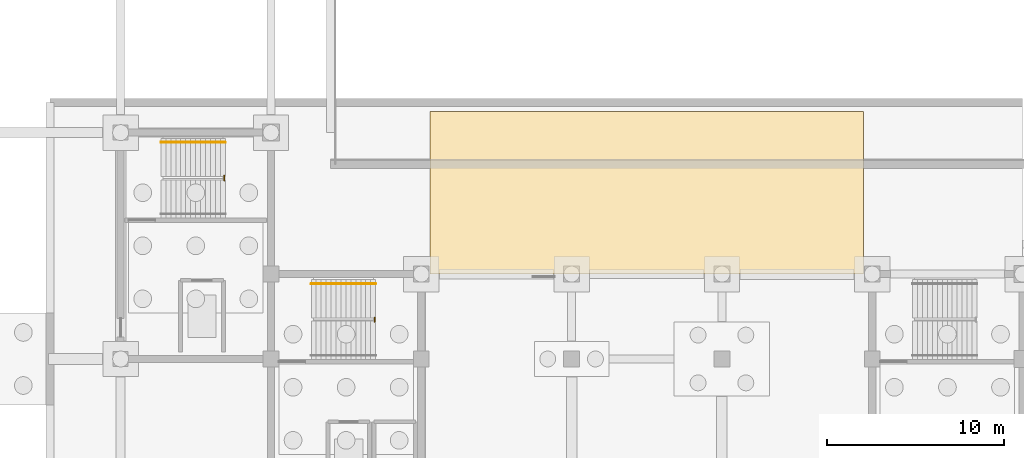
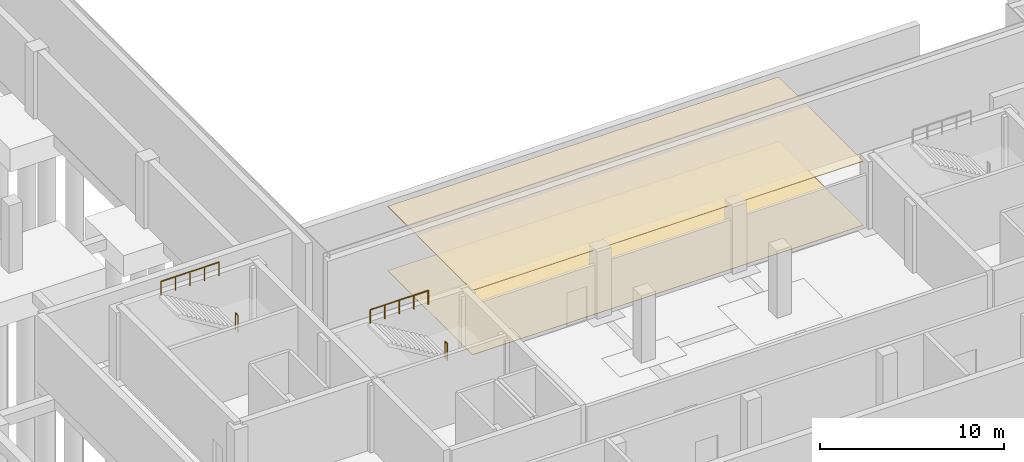
# One storey, part 18 of 25: 4 railings, 2 coverings.
"""IFC4 building model written with IfcOpenShell, lengths in metres."""

from ifc_helpers import new_model, si_unit, direction, frame, origin, origin_2d, place, context, subcontext, project, spatial, polyline, circle, outline, extrude, material, layer, layer_set, type_object, element, save


model = new_model("IFC4")

# Units and contexts
model_context = context("Model", 3, precision=1e-05, world=origin(), true_north=direction((0.0, 1.0)))
body_context = subcontext(model_context, "Body", "Model", "MODEL_VIEW")
ifc_project = project(units=[si_unit("LENGTHUNIT", "METRE"), si_unit("AREAUNIT", "SQUARE_METRE"), si_unit("VOLUMEUNIT", "CUBIC_METRE"), si_unit("PLANEANGLEUNIT", "RADIAN"), si_unit("MASSUNIT", "GRAM", prefix="KILO")], contexts=[model_context])

# Site, building, storey
site_placement = place(None, origin())
site = spatial("IfcSite", under=ifc_project, at=site_placement, CompositionType="ELEMENT")
building_placement = place(site_placement, origin())
building = spatial("IfcBuilding", under=site, at=building_placement, Name="Solvikara Media Centre", CompositionType="ELEMENT")
storey_placement = place(building_placement, frame((0.0, 0.0, -4.800048828125)))
storey = spatial("IfcBuildingStorey", under=building, at=storey_placement, Name="B01", CompositionType="ELEMENT", Elevation=-4.800048828125)

# Coverings
ifc_material_1 = material(Name="Perforated acoustic gypsum ceiling board")
ifc_layer_1 = layer(ifc_material_1, 0.0400390625)
ifc_layer_set_1 = layer_set([ifc_layer_1], Name="Perforated acoustic gypsum ceiling board")
covering_type_1 = type_object("IfcCoveringType", Name="CV-01", PredefinedType="CEILING", material=ifc_layer_set_1)
covering_1_placement = place(storey_placement, frame((0.0, 0.0, 4.25)))
element("IfcCovering", 1, at=covering_1_placement, inside=storey, type_object=covering_type_1, Name="CLG-001", PredefinedType="CEILING", context=body_context, shape_type="SweptSolid", body=[
    extrude(outline(polyline([(43.0, 36.800048828125), (67.5, 36.800048828125), (67.5, 46.0), (43.0, 46.0), (43.0, 36.800048828125)])), origin(), (0.0, 0.0, 1.0), 0.0400390625),
])
ifc_material_2 = material(Name="Polished terrazzo floor finish")
ifc_layer_2 = layer(ifc_material_2, 0.030029296875)
ifc_layer_set_2 = layer_set([ifc_layer_2], Name="Polished terrazzo floor finish")
covering_type_2 = type_object("IfcCoveringType", Name="CV-02", PredefinedType="FLOORING", material=ifc_layer_set_2)
covering_2_placement = place(storey_placement, origin())
element("IfcCovering", 2, at=covering_2_placement, inside=storey, type_object=covering_type_2, Name="FLR-001", PredefinedType="FLOORING", context=body_context, shape_type="SweptSolid", body=[
    extrude(outline(polyline([(43.0, 36.800048828125), (67.5, 36.800048828125), (67.5, 46.0), (43.0, 46.0), (43.0, 36.800048828125)])), origin(), (0.0, 0.0, 1.0), 0.030029296875),
])

# Railings
ifc_material_3 = material(Name="Steel S355JR", Category="steel")
railing_type_1 = type_object("IfcRailingType", Name="GR-02", PredefinedType="BALUSTRADE", material=ifc_material_3)
railing_1_placement = place(storey_placement, frame((31.360107421875, 42.080078125, 2.400146484375)))
element("IfcRailing", 3, at=railing_1_placement, inside=storey, type_object=railing_type_1, Name="GR-C1-B01-M", PredefinedType="BALUSTRADE", context=body_context, shape_type="SweptSolid", body=[
    extrude(circle(Radius=0.02392578125, at=origin_2d()), frame((0.0, 0.0, 1.09619140625), z_axis=(0.0, 1.0, 0.0), x_axis=(-1.0, 0.0, 0.0)), (0.0, 0.0, 1.0), 0.2900390625),
    extrude(circle(Radius=0.02099609375, at=origin_2d()), origin(), (0.0, 0.0, 1.0), 1.072021484375),
    extrude(circle(Radius=0.02099609375, at=origin_2d()), frame((0.0, 0.2900390625, 0.0)), (0.0, 0.0, 1.0), 1.072021484375),
])
railing_2_placement = place(storey_placement, frame((39.860107421875, 34.10009765625, 2.400146484375)))
element("IfcRailing", 4, at=railing_2_placement, inside=storey, type_object=railing_type_1, Name="GR-C2-B01-M", PredefinedType="BALUSTRADE", context=body_context, shape_type="SweptSolid", body=[
    extrude(circle(Radius=0.02392578125, at=origin_2d()), frame((0.0, 0.0, 1.09619140625), z_axis=(0.0, 1.0, 0.0), x_axis=(-1.0, 0.0, 0.0)), (0.0, 0.0, 1.0), 0.25),
    extrude(circle(Radius=0.02099609375, at=origin_2d()), origin(), (0.0, 0.0, 1.0), 1.072021484375),
    extrude(circle(Radius=0.02099609375, at=origin_2d()), frame((0.0, 0.25, 0.0)), (0.0, 0.0, 1.0), 1.072021484375),
])
railing_type_2 = type_object("IfcRailingType", Name="HR-01", PredefinedType="HANDRAIL", material=ifc_material_3)
for number, where, name in (
    (5, (31.419921875, 44.25, 4.800048828125), "HR-C1-B01-2"),
    (6, (39.919921875, 36.25, 4.800048828125), "HR-C2-B01-2"),
):
    element("IfcRailing", number, at=place(storey_placement, frame(where)), inside=storey, type_object=railing_type_2, Name=name, PredefinedType="HANDRAIL", context=body_context, shape_type="SweptSolid", body=[
        extrude(circle(Radius=0.02392578125, at=origin_2d()), frame((0.0, 0.0, 0.89599609375), z_axis=(-1.0, 0.0, 0.0), x_axis=(0.0, -1.0, 0.0)), (0.0, 0.0, 1.0), 3.639892578125),
        extrude(circle(Radius=0.02099609375, at=origin_2d()), origin(), (0.0, 0.0, 1.0), 0.871826171875),
        extrude(circle(Radius=0.02099609375, at=origin_2d()), frame((-0.909912109375, 0.0, 0.0)), (0.0, 0.0, 1.0), 0.871826171875),
        extrude(circle(Radius=0.02099609375, at=origin_2d()), frame((-1.81982421875, 0.0, 0.0)), (0.0, 0.0, 1.0), 0.871826171875),
        extrude(circle(Radius=0.02099609375, at=origin_2d()), frame((-2.72998046875, 0.0, 0.0)), (0.0, 0.0, 1.0), 0.871826171875),
        extrude(circle(Radius=0.02099609375, at=origin_2d()), frame((-3.639892578125, 0.0, 0.0)), (0.0, 0.0, 1.0), 0.871826171875),
    ])

save(model, "model.ifc")
